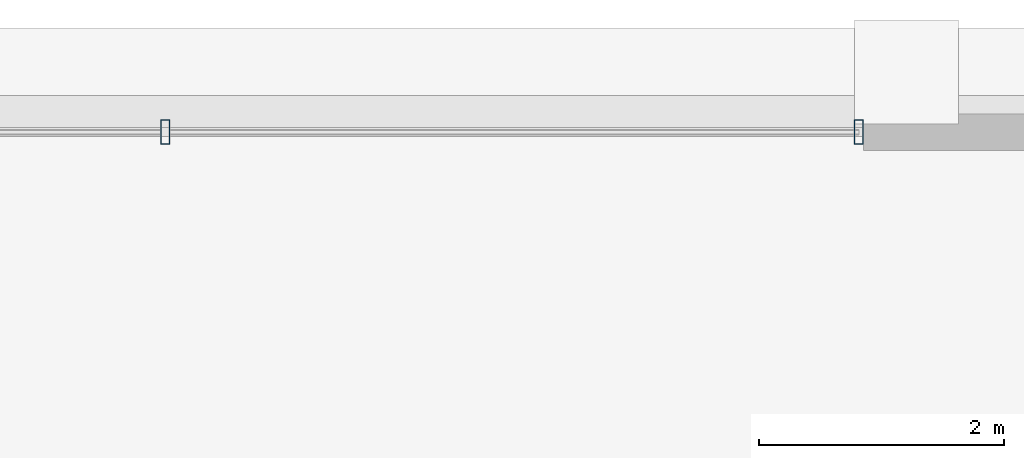
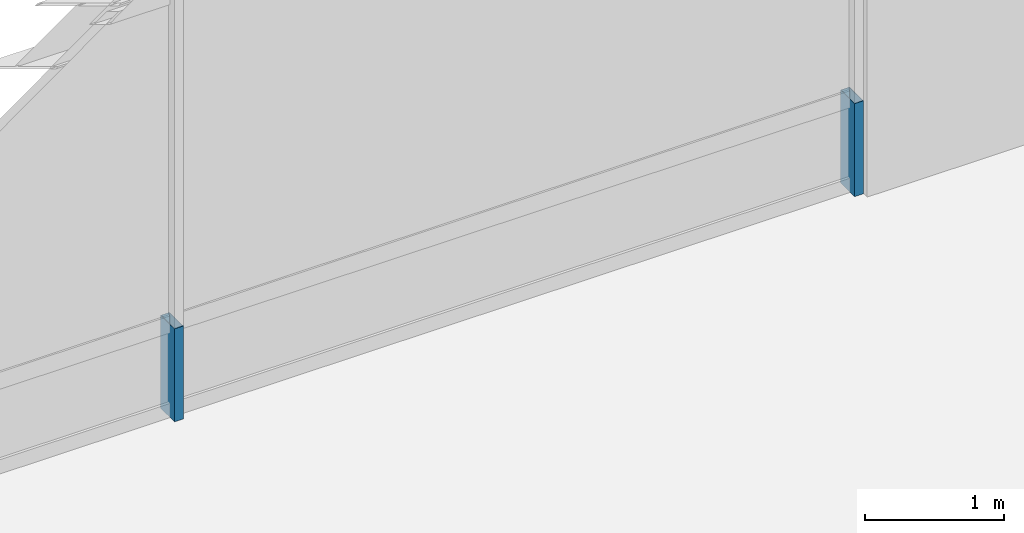
# One storey, part 28 of 34: 2 members, 1 element without a shape of its own.
"""IFC4 building model written with IfcOpenShell, lengths in metres."""

from ifc_helpers import new_model, si_unit, direction, frame, origin, origin_2d, place, context, subcontext, project, spatial, hollow_rectangle, extrude, source, transform, mapped, material, layer, layer_set, material_profile, profile_set, type_object, element, aggregate, save


model = new_model("IFC4")

# Units and contexts
model_context = context("Model", 3, precision=1e-05, world=origin(), true_north=direction((0.0, 1.0)))
body_context = subcontext(model_context, "Body", "Model", "MODEL_VIEW")
ifc_project = project(units=[si_unit("LENGTHUNIT", "METRE"), si_unit("AREAUNIT", "SQUARE_METRE"), si_unit("VOLUMEUNIT", "CUBIC_METRE"), si_unit("PLANEANGLEUNIT", "RADIAN"), si_unit("MASSUNIT", "GRAM", prefix="KILO"), si_unit("THERMODYNAMICTEMPERATUREUNIT", "KELVIN"), si_unit("POWERUNIT", "WATT")], contexts=[model_context])

# Site, building, storey
site_placement = place(None, origin())
site = spatial("IfcSite", under=ifc_project, at=site_placement, CompositionType="ELEMENT")
building_placement = place(site_placement, origin())
building = spatial("IfcBuilding", under=site, at=building_placement, Name="Yuzanri Waterfront Tower", CompositionType="ELEMENT")
storey_placement = place(building_placement, frame((0.0, 0.0, 339.199951171875)))
storey = spatial("IfcBuildingStorey", under=building, at=storey_placement, Name="L91", CompositionType="ELEMENT", Elevation=339.199951171875)

# Curtain wall, members
ifc_material_1 = material(Name="Anodized Architectural Bronze", Category="metal")
ifc_layer = layer(ifc_material_1, 0.159912109375)
ifc_layer_set = layer_set([ifc_layer], Name="Anodized Architectural Bronze")
curtain_wall_type = type_object("IfcCurtainWallType", Name="Anodized Bronze High-Rise Penthouse High-Wind Unitized Curtain Wall 6900", PredefinedType="NOTDEFINED", material=ifc_layer_set)
curtain_wall_placement = place(storey_placement, origin())
curtain_wall = element("IfcCurtainWall", 1, at=curtain_wall_placement, inside=storey, type_object=curtain_wall_type, Name="L91 Curtain Wall CW-L91-NR", PredefinedType="NOTDEFINED")
ifc_material_2 = material(Name="Anodized Architectural Bronze", Category="metal")
ifc_material_profile = material_profile(ifc_material_2, hollow_rectangle(XDim=0.074951171875, YDim=0.199951171875, WallThickness=0.00390625, at=origin_2d()), Name="CWM 75x200")
ifc_profile_set = profile_set([ifc_material_profile], Name="Anodized Architectural Bronze")
member_type = type_object("IfcMemberType", Name="Anodized Bronze Primary Curtain-Wall Mullion 75x200", PredefinedType="MULLION", material=ifc_profile_set)
shared_shape = source(origin(), body_context, "Body", "SweptSolid", [
    extrude(hollow_rectangle(XDim=0.074951171875, YDim=0.199951171875, WallThickness=0.00390625, at=origin_2d()), origin(), (0.0, 0.0, 1.0), 0.818115234375),
])
member_1_placement = place(storey_placement, frame((43.050048828125, 44.75, 0.0), z_axis=(0.0, 0.0, 1.0), x_axis=(1.0, 0.0, 0.0)))
member_1 = element("IfcMember", 2, at=member_1_placement, type_object=member_type, Name="CW-L91-NR Lower Mullion 01", PredefinedType="MULLION", context=body_context, shape_type="MappedRepresentation", body=[
    mapped(shared_shape, transform((0.0, 0.0, 0.0), scale=1.0)),
])
member_2_placement = place(storey_placement, frame((48.7099609375, 44.75, 0.0), z_axis=(0.0, 0.0, 1.0), x_axis=(1.0, 0.0, 0.0)))
member_2 = element("IfcMember", 3, at=member_2_placement, type_object=member_type, Name="CW-L91-NR Lower Mullion 02", PredefinedType="MULLION", context=body_context, shape_type="MappedRepresentation", body=[
    mapped(shared_shape, transform((0.0, 0.0, 0.0), scale=1.0)),
])
aggregate(curtain_wall, [member_1, member_2])

save(model, "model.ifc")
